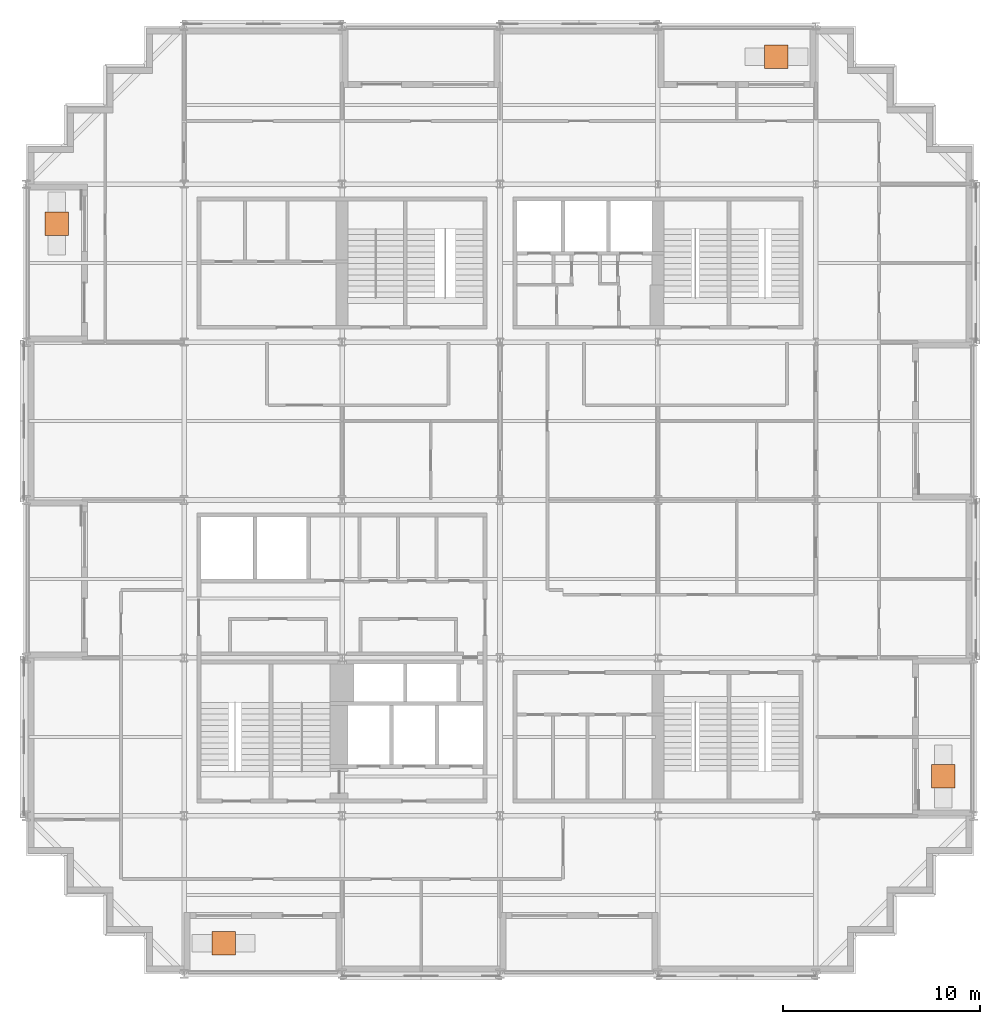
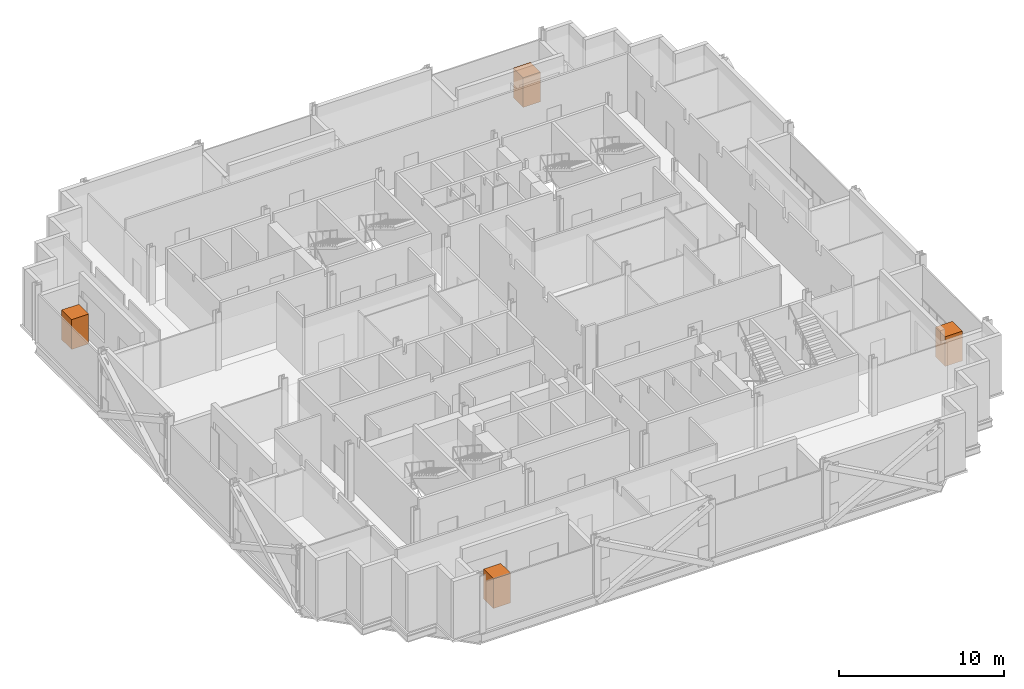
# One storey, part 15 of 15: 4 geographic elements.
"""IFC4 building model written with IfcOpenShell, lengths in metres."""

from ifc_helpers import new_model, si_unit, direction, frame, origin, origin_2d, place, context, subcontext, project, spatial, rectangle, extrude, material, type_object, element, save


model = new_model("IFC4")

# Units and contexts
model_context = context("Model", 3, precision=1e-05, world=origin(), true_north=direction((0.0, 1.0)))
body_context = subcontext(model_context, "Body", "Model", "MODEL_VIEW")
ifc_project = project(units=[si_unit("LENGTHUNIT", "METRE"), si_unit("AREAUNIT", "SQUARE_METRE"), si_unit("VOLUMEUNIT", "CUBIC_METRE"), si_unit("PLANEANGLEUNIT", "RADIAN"), si_unit("MASSUNIT", "GRAM", prefix="KILO")], contexts=[model_context])

# Site, building, storey
site_placement = place(None, origin())
site = spatial("IfcSite", under=ifc_project, at=site_placement, CompositionType="ELEMENT")
building_placement = place(site_placement, origin())
building = spatial("IfcBuilding", under=site, at=building_placement, Name="Immortelle Media Tower", CompositionType="ELEMENT")
storey_placement = place(building_placement, frame((0.0, 0.0, 87.60009765625)))
storey = spatial("IfcBuildingStorey", under=building, at=storey_placement, Name="L16", CompositionType="ELEMENT", Elevation=87.60009765625)

# Geographic elements
ifc_material = material(Name="Tree canopy foliage")
geographic_element_type = type_object("IfcGeographicElementType", Name="Tree", PredefinedType="USERDEFINED", material=ifc_material)
for number, where, z_axis, x_axis, name in (
    (1, (1.550048828125, 38.0, 0.60009765625), (0.0, 0.0, 1.0), (1.0, 0.0, 0.0), "Tree L16 W0"),
    (2, (10.0, 1.550048828125, 0.60009765625), (0.0, 0.0, 1.0), (1.0, 0.0, 0.0), "Tree L16 S0"),
    (3, (46.449951171875, 10.0, 0.60009765625), (0.0, 0.0, 1.0), (1.0, 0.0, 0.0), "Tree L16 E0"),
    (4, (38.0, 46.449951171875, 0.60009765625), (0.0, 0.0, 1.0), (1.0, 0.0, 0.0), "Tree L16 N0"),
):
    element("IfcGeographicElement", number, at=place(storey_placement, frame(where, z_axis=z_axis, x_axis=x_axis)), inside=storey, type_object=geographic_element_type, Name=name, ObjectType="Tree", PredefinedType="USERDEFINED", context=body_context, shape_type="SweptSolid", body=[
        extrude(rectangle(XDim=1.199951171875, YDim=1.199951171875, at=origin_2d()), origin(), (0.0, 0.0, 1.0), 2.199951171875),
    ])

save(model, "model.ifc")
